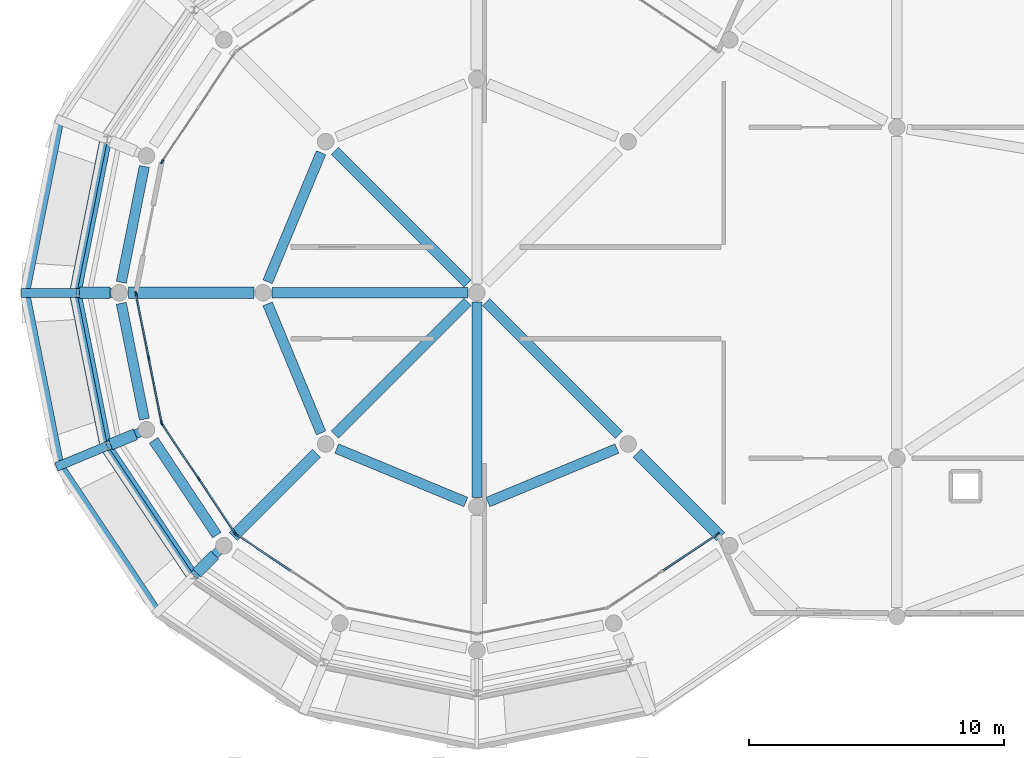
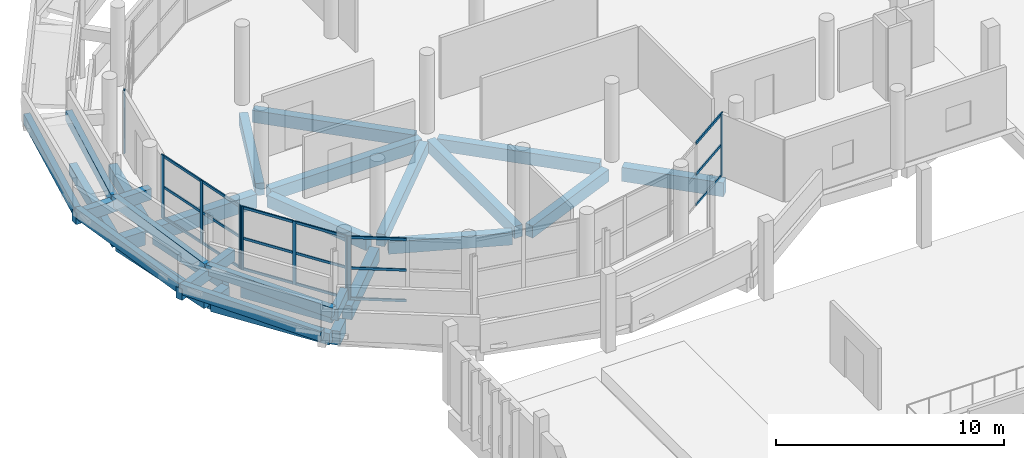
# One storey, part 15 of 137: 32 beams, 27 members, 5 elements without a shape of their own.
"""IFC4 building model written with IfcOpenShell, lengths in metres."""

from ifc_helpers import new_model, si_unit, direction, frame, origin, origin_2d, place, context, subcontext, project, spatial, rectangle, extrude, material, layer, layer_set, material_profile, profile_set, type_object, element, aggregate, save


model = new_model("IFC4")

# Units and contexts
model_context = context("Model", 3, precision=1e-05, world=origin(), true_north=direction((0.0, 1.0)))
body_context = subcontext(model_context, "Body", "Model", "MODEL_VIEW")
ifc_project = project(units=[si_unit("LENGTHUNIT", "METRE"), si_unit("AREAUNIT", "SQUARE_METRE"), si_unit("VOLUMEUNIT", "CUBIC_METRE"), si_unit("PLANEANGLEUNIT", "RADIAN"), si_unit("MASSUNIT", "GRAM", prefix="KILO")], contexts=[model_context])

# Site, building, storey
site_placement = place(None, origin())
site = spatial("IfcSite", under=ifc_project, at=site_placement, CompositionType="ELEMENT")
building_placement = place(site_placement, origin())
building = spatial("IfcBuilding", under=site, at=building_placement, Name="Jelvoka-Kovrelna Polytechnic", CompositionType="ELEMENT")
storey_placement = place(building_placement, frame((0.0, 0.0, 9.60009765625)))
storey = spatial("IfcBuildingStorey", under=building, at=storey_placement, Name="L03", CompositionType="ELEMENT", Elevation=9.60009765625)

# Beams
ifc_material_1 = material(Name="Concrete C35/45", Category="concrete")
ifc_material_profile_1 = material_profile(ifc_material_1, rectangle(XDim=0.35009765625, YDim=0.60009765625, at=origin_2d()), Name="RC 350x600")
ifc_profile_set_1 = profile_set([ifc_material_profile_1], Name="Concrete C35/45")
beam_type_1 = type_object("IfcBeamType", Name="Beam_RC_350x600", PredefinedType="BEAM", material=ifc_profile_set_1)
for number, where, z_axis, x_axis, name in (
    (1, (15.565185546875, 32.565185546875, 0.73486328125), (-0.707106781187, -0.707106781187, 0.0), (0.707106781187, -0.707106781187, 0.0), "L03 spiral ramp inner tie beam 3.8"),
    (2, (12.51953125, 37.123291015625, 1.15478515625), (-0.923870731357, -0.38270467954, 0.0), (0.38270467954, -0.923870731357, 0.0), "L03 spiral ramp inner tie beam 3.7"),
):
    element("IfcBeam", number, at=place(storey_placement, frame(where, z_axis=z_axis, x_axis=x_axis)), inside=storey, type_object=beam_type_1, Name=name, PredefinedType="BEAM", context=body_context, shape_type="SweptSolid", body=[
        extrude(rectangle(XDim=0.35009765625, YDim=0.60009765625, at=origin_2d()), origin(), (0.0, 0.0, 1.0), 1.670166015625),
    ])
beam_1_placement = place(storey_placement, frame((10.9765625, 36.484130859375, 1.15478515625), z_axis=(-0.923910766313, -0.382608018592, 0.0), x_axis=(0.382608018592, -0.923910766313, 0.0)))
element("IfcBeam", 3, at=beam_1_placement, inside=storey, type_object=beam_type_1, Name="L03 spiral ramp cantilever bracket 3.7", PredefinedType="BEAM", context=body_context, shape_type="SweptSolid", body=[
    extrude(rectangle(XDim=0.35009765625, YDim=0.60009765625, at=origin_2d()), origin(), (0.0, 0.0, 1.0), 2.159912109375),
])
beam_2_placement = place(storey_placement, frame((11.449951171875, 42.5, 1.574951171875), z_axis=(-1.0, 0.0, 0.0), x_axis=(0.0, -1.0, 0.0)))
element("IfcBeam", 4, at=beam_2_placement, inside=storey, type_object=beam_type_1, Name="L03 spiral ramp inner tie beam 3.6", PredefinedType="BEAM", context=body_context, shape_type="SweptSolid", body=[
    extrude(rectangle(XDim=0.35009765625, YDim=0.60009765625, at=origin_2d()), origin(), (0.0, 0.0, 1.0), 1.669921875),
])
beam_3_placement = place(storey_placement, frame((9.780029296875, 42.5, 1.574951171875), z_axis=(-1.0, 0.0, 0.0), x_axis=(0.0, -1.0, 0.0)))
element("IfcBeam", 5, at=beam_3_placement, inside=storey, type_object=beam_type_1, Name="L03 spiral ramp cantilever bracket 3.6", PredefinedType="BEAM", context=body_context, shape_type="SweptSolid", body=[
    extrude(rectangle(XDim=0.35009765625, YDim=0.60009765625, at=origin_2d()), origin(), (0.0, 0.0, 1.0), 2.159912109375),
])
ifc_material_2 = material(Name="Concrete C40/50", Category="concrete")
ifc_material_profile_2 = material_profile(ifc_material_2, rectangle(XDim=0.39990234375, YDim=0.64990234375, at=origin_2d()), Name="RC 400x650")
ifc_profile_set_2 = profile_set([ifc_material_profile_2], Name="Concrete C40/50")
beam_type_2 = type_object("IfcBeamType", Name="Beam_RC_400x650", PredefinedType="BEAM", material=ifc_profile_set_2)
beam_4_placement = place(storey_placement, frame((25.13916015625, 42.86083984375, -0.5751953125), z_axis=(-0.707106781187, 0.707106781187, 0.0), x_axis=(-0.707106781187, -0.707106781187, 0.0)))
element("IfcBeam", 6, at=beam_4_placement, inside=storey, type_object=beam_type_2, Name="L03 beam 2468", PredefinedType="BEAM", context=body_context, shape_type="SweptSolid", body=[
    extrude(rectangle(XDim=0.39990234375, YDim=0.64990234375, at=origin_2d()), origin(), (0.0, 0.0, 1.0), 7.37939453125),
])
beam_5_placement = place(storey_placement, frame((25.14501953125, 42.5, -0.5751953125), z_axis=(-1.0, 0.0, 0.0), x_axis=(0.0, -1.0, 0.0)))
element("IfcBeam", 7, at=beam_5_placement, inside=storey, type_object=beam_type_2, Name="L03 beam 2470", PredefinedType="BEAM", context=body_context, shape_type="SweptSolid", body=[
    extrude(rectangle(XDim=0.39990234375, YDim=0.64990234375, at=origin_2d()), origin(), (0.0, 0.0, 1.0), 7.68994140625),
])
beam_6_placement = place(storey_placement, frame((25.13916015625, 42.13916015625, -0.5751953125), z_axis=(-0.707106781187, -0.707106781187, 0.0), x_axis=(0.707106781187, -0.707106781187, 0.0)))
element("IfcBeam", 8, at=beam_6_placement, inside=storey, type_object=beam_type_2, Name="L03 beam 2472", PredefinedType="BEAM", context=body_context, shape_type="SweptSolid", body=[
    extrude(rectangle(XDim=0.39990234375, YDim=0.64990234375, at=origin_2d()), origin(), (0.0, 0.0, 1.0), 7.37939453125),
])
beam_7_placement = place(storey_placement, frame((25.5, 42.14501953125, -0.5751953125), z_axis=(0.0, -1.0, 0.0), x_axis=(1.0, 0.0, 0.0)))
element("IfcBeam", 9, at=beam_7_placement, inside=storey, type_object=beam_type_2, Name="L03 beam 2474", PredefinedType="BEAM", context=body_context, shape_type="SweptSolid", body=[
    extrude(rectangle(XDim=0.39990234375, YDim=0.64990234375, at=origin_2d()), origin(), (0.0, 0.0, 1.0), 7.68994140625),
])
beam_8_placement = place(storey_placement, frame((25.86083984375, 42.13916015625, -0.5751953125), z_axis=(0.707106781187, -0.707106781187, 0.0), x_axis=(0.707106781187, 0.707106781187, 0.0)))
element("IfcBeam", 10, at=beam_8_placement, inside=storey, type_object=beam_type_2, Name="L03 beam 2476", PredefinedType="BEAM", context=body_context, shape_type="SweptSolid", body=[
    extrude(rectangle(XDim=0.39990234375, YDim=0.64990234375, at=origin_2d()), origin(), (0.0, 0.0, 1.0), 7.37939453125),
])
for number, where, z_axis, x_axis, name in (
    (11, (19.380615234375, 48.005615234375, -0.5751953125), (-0.382703994805, -0.923871015002, 0.0), (0.923871015002, -0.382703994805, 0.0), "L03 beam 2480"),
    (12, (17.27978515625, 42.06591796875, -0.5751953125), (0.382703994805, -0.923871015002, 0.0), (0.923871015002, 0.382703994805, 0.0), "L03 beam 2481"),
    (13, (19.994384765625, 36.380615234375, -0.5751953125), (0.923871015002, -0.382703994805, 0.0), (0.382703994805, 0.923871015002, 0.0), "L03 beam 2482"),
    (14, (25.93408203125, 34.27978515625, -0.5751953125), (0.923871015002, 0.382703994805, 0.0), (-0.382703994805, 0.923871015002, 0.0), "L03 beam 2483"),
):
    element("IfcBeam", number, at=place(storey_placement, frame(where, z_axis=z_axis, x_axis=x_axis)), inside=storey, type_object=beam_type_2, Name=name, PredefinedType="BEAM", context=body_context, shape_type="SweptSolid", body=[
        extrude(rectangle(XDim=0.39990234375, YDim=0.64990234375, at=origin_2d()), origin(), (0.0, 0.0, 1.0), 5.489501953125),
    ])
for number, where, z_axis, x_axis, name in (
    (15, (12.4375, 47.4638671875, -0.5751953125), (-0.195144706619, -0.980774461066, 0.0), (0.980774461066, -0.195144706619, 0.0), "L03 beam 2489"),
    (16, (11.531982421875, 42.087158203125, -0.5751953125), (0.195144706619, -0.980774461066, 0.0), (0.980774461066, 0.195144706619, 0.0), "L03 beam 2490"),
):
    element("IfcBeam", number, at=place(storey_placement, frame(where, z_axis=z_axis, x_axis=x_axis)), inside=storey, type_object=beam_type_2, Name=name, PredefinedType="BEAM", context=body_context, shape_type="SweptSolid", body=[
        extrude(rectangle(XDim=0.39990234375, YDim=0.64990234375, at=origin_2d()), origin(), (0.0, 0.0, 1.0), 4.64013671875),
    ])
beam_9_placement = place(storey_placement, frame((12.79736328125, 36.70751953125, -0.5751953125), z_axis=(0.55552960698, -0.831496756319, 0.0), x_axis=(0.831496756319, 0.55552960698, 0.0)))
element("IfcBeam", 17, at=beam_9_placement, inside=storey, type_object=beam_type_2, Name="L03 beam 2491", PredefinedType="BEAM", context=body_context, shape_type="SweptSolid", body=[
    extrude(rectangle(XDim=0.39990234375, YDim=0.64990234375, at=origin_2d()), origin(), (0.0, 0.0, 1.0), 4.481689453125),
])
ifc_material_3 = material(Name="Concrete C40/50", Category="concrete")
ifc_material_profile_3 = material_profile(ifc_material_3, rectangle(XDim=0.449951171875, YDim=0.75, at=origin_2d()), Name="RC 450x750")
ifc_profile_set_3 = profile_set([ifc_material_profile_3], Name="Concrete C40/50")
beam_type_3 = type_object("IfcBeamType", Name="Beam_RC_450x750", PredefinedType="BEAM", material=ifc_profile_set_3)
beam_10_placement = place(storey_placement, frame((16.7451171875, 42.5, -0.625), z_axis=(-1.0, 0.0, 0.0), x_axis=(0.0, -1.0, 0.0)))
element("IfcBeam", 18, at=beam_10_placement, inside=storey, type_object=beam_type_3, Name="L03 beam 2471", PredefinedType="BEAM", context=body_context, shape_type="SweptSolid", body=[
    extrude(rectangle(XDim=0.449951171875, YDim=0.75, at=origin_2d()), origin(), (0.0, 0.0, 1.0), 4.940185546875),
])
for number, where, z_axis, x_axis, name in (
    (19, (19.199462890625, 36.199462890625, -0.625), (-0.707106781187, -0.707106781187, 0.0), (0.707106781187, -0.707106781187, 0.0), "L03 beam 2473"),
    (20, (31.800537109375, 36.199462890625, -0.625), (0.707106781187, -0.707106781187, 0.0), (0.707106781187, 0.707106781187, 0.0), "L03 beam 2477"),
):
    element("IfcBeam", number, at=place(storey_placement, frame(where, z_axis=z_axis, x_axis=x_axis)), inside=storey, type_object=beam_type_3, Name=name, PredefinedType="BEAM", context=body_context, shape_type="SweptSolid", body=[
        extrude(rectangle(XDim=0.449951171875, YDim=0.75, at=origin_2d()), origin(), (0.0, 0.0, 1.0), 4.62939453125),
    ])
beam_11_placement = place(storey_placement, frame((11.094970703125, 42.5, -0.625), z_axis=(-1.0, 0.0, 0.0), x_axis=(0.0, -1.0, 0.0)))
element("IfcBeam", 21, at=beam_11_placement, inside=storey, type_object=beam_type_3, Name="L03 beam 2503", PredefinedType="BEAM", context=body_context, shape_type="SweptSolid", body=[
    extrude(rectangle(XDim=0.449951171875, YDim=0.75, at=origin_2d()), origin(), (0.0, 0.0, 1.0), 1.2080078125),
])
beam_12_placement = place(storey_placement, frame((12.085205078125, 36.943603515625, -0.625), z_axis=(-0.923822033971, -0.382822216634, 0.0), x_axis=(0.382822216634, -0.923822033971, 0.0)))
element("IfcBeam", 22, at=beam_12_placement, inside=storey, type_object=beam_type_3, Name="L03 beam 2504", PredefinedType="BEAM", context=body_context, shape_type="SweptSolid", body=[
    extrude(rectangle(XDim=0.449951171875, YDim=0.75, at=origin_2d()), origin(), (0.0, 0.0, 1.0), 1.05419921875),
])
beam_13_placement = place(storey_placement, frame((15.2041015625, 32.2041015625, -0.625), z_axis=(-0.707106781187, -0.707106781187, 0.0), x_axis=(0.707106781187, -0.707106781187, 0.0)))
element("IfcBeam", 23, at=beam_13_placement, inside=storey, type_object=beam_type_3, Name="L03 beam 2505", PredefinedType="BEAM", context=body_context, shape_type="SweptSolid", body=[
    extrude(rectangle(XDim=0.449951171875, YDim=0.75, at=origin_2d()), origin(), (0.0, 0.0, 1.0), 0.99951171875),
])

# Curtain wall, member
ifc_material_4 = material(Name="Anodised aluminium 6063-T6", Category="aluminium")
ifc_layer = layer(ifc_material_4, 0.179931640625)
ifc_layer_set = layer_set([ifc_layer], Name="Anodised aluminium 6063-T6")
curtain_wall_type = type_object("IfcCurtainWallType", Name="CW_Pavilion", PredefinedType="NOTDEFINED", material=ifc_layer_set)
curtain_wall_1_placement = place(storey_placement, origin())
curtain_wall_1 = element("IfcCurtainWall", 24, at=curtain_wall_1_placement, inside=storey, type_object=curtain_wall_type, Name="L03 glazed curtain wall 237", PredefinedType="NOTDEFINED")
ifc_material_5 = material(Name="Anodised aluminium 6063-T6", Category="aluminium")
ifc_material_profile_4 = material_profile(ifc_material_5, rectangle(XDim=0.06494140625, YDim=0.179931640625, at=origin_2d()), Name="ALU 65x180")
ifc_profile_set_4 = profile_set([ifc_material_profile_4], Name="Anodised aluminium 6063-T6")
member_type_1 = type_object("IfcMemberType", Name="Mullion_M-05", PredefinedType="MULLION", material=ifc_profile_set_4)
member_1_placement = place(storey_placement, frame((13.137939453125, 47.655029296875, -0.02490234375), z_axis=(0.0, 0.0, 1.0), x_axis=(-0.83146132254, 0.555582639326, 0.0)))
member_1 = element("IfcMember", 25, at=member_1_placement, type_object=member_type_1, Name="CW-05 mullion 1", PredefinedType="MULLION", context=body_context, shape_type="SweptSolid", body=[
    extrude(rectangle(XDim=0.06494140625, YDim=0.179931640625, at=origin_2d()), origin(), (0.0, 0.0, 1.0), 3.39990234375),
])
aggregate(curtain_wall_1, [member_1])

# Curtain wall, members
curtain_wall_2_placement = place(storey_placement, origin())
curtain_wall_2 = element("IfcCurtainWall", 26, at=curtain_wall_2_placement, inside=storey, type_object=curtain_wall_type, Name="L03 glazed curtain wall 238", PredefinedType="NOTDEFINED")
member_2_placement = place(storey_placement, frame((13.11376953125, 37.40380859375, -0.02490234375), z_axis=(0.0, 0.0, 1.0), x_axis=(-0.980786108197, -0.195086160371, 0.0)))
member_2 = element("IfcMember", 27, at=member_2_placement, type_object=member_type_1, Name="CW-05 mullion 1", PredefinedType="MULLION", context=body_context, shape_type="SweptSolid", body=[
    extrude(rectangle(XDim=0.06494140625, YDim=0.179931640625, at=origin_2d()), origin(), (0.0, 0.0, 1.0), 3.39990234375),
])
member_3_placement = place(storey_placement, frame((12.610107421875, 39.93603515625, -0.02490234375), z_axis=(0.0, 0.0, 1.0), x_axis=(-0.980786108197, -0.195086160371, 0.0)))
member_3 = element("IfcMember", 28, at=member_3_placement, type_object=member_type_1, Name="CW-05 mullion 2", PredefinedType="MULLION", context=body_context, shape_type="SweptSolid", body=[
    extrude(rectangle(XDim=0.06494140625, YDim=0.179931640625, at=origin_2d()), origin(), (0.0, 0.0, 1.0), 3.39990234375),
])
member_4_placement = place(storey_placement, frame((12.1064453125, 42.468017578125, -0.02490234375), z_axis=(0.0, 0.0, 1.0), x_axis=(-0.980786108197, -0.195086160371, 0.0)))
member_4 = element("IfcMember", 29, at=member_4_placement, type_object=member_type_1, Name="CW-05 mullion 3", PredefinedType="MULLION", context=body_context, shape_type="SweptSolid", body=[
    extrude(rectangle(XDim=0.06494140625, YDim=0.179931640625, at=origin_2d()), origin(), (0.0, 0.0, 1.0), 3.39990234375),
])

curtain_wall_3_placement = place(storey_placement, origin())
curtain_wall_3 = element("IfcCurtainWall", 30, at=curtain_wall_3_placement, inside=storey, type_object=curtain_wall_type, Name="L03 glazed curtain wall 239", PredefinedType="NOTDEFINED")
member_5_placement = place(storey_placement, frame((16.0068359375, 33.0517578125, -0.02490234375), z_axis=(0.0, 0.0, 1.0), x_axis=(-0.83146132254, -0.555582639326, 0.0)))
member_5 = element("IfcMember", 31, at=member_5_placement, type_object=member_type_1, Name="CW-05 mullion 1", PredefinedType="MULLION", context=body_context, shape_type="SweptSolid", body=[
    extrude(rectangle(XDim=0.06494140625, YDim=0.179931640625, at=origin_2d()), origin(), (0.0, 0.0, 1.0), 3.39990234375),
])
member_6_placement = place(storey_placement, frame((14.572509765625, 35.198486328125, -0.02490234375), z_axis=(0.0, 0.0, 1.0), x_axis=(-0.83146132254, -0.555582639326, 0.0)))
member_6 = element("IfcMember", 32, at=member_6_placement, type_object=member_type_1, Name="CW-05 mullion 2", PredefinedType="MULLION", context=body_context, shape_type="SweptSolid", body=[
    extrude(rectangle(XDim=0.06494140625, YDim=0.179931640625, at=origin_2d()), origin(), (0.0, 0.0, 1.0), 3.39990234375),
])
member_7_placement = place(storey_placement, frame((13.137939453125, 37.344970703125, -0.02490234375), z_axis=(0.0, 0.0, 1.0), x_axis=(-0.83146132254, -0.555582639326, 0.0)))
member_7 = element("IfcMember", 33, at=member_7_placement, type_object=member_type_1, Name="CW-05 mullion 3", PredefinedType="MULLION", context=body_context, shape_type="SweptSolid", body=[
    extrude(rectangle(XDim=0.06494140625, YDim=0.179931640625, at=origin_2d()), origin(), (0.0, 0.0, 1.0), 3.39990234375),
])

# Curtain wall, member
curtain_wall_4_placement = place(storey_placement, origin())
curtain_wall_4 = element("IfcCurtainWall", 34, at=curtain_wall_4_placement, inside=storey, type_object=curtain_wall_type, Name="L03 glazed curtain wall 240", PredefinedType="NOTDEFINED")
member_8_placement = place(storey_placement, frame((16.0517578125, 33.0068359375, -0.02490234375), z_axis=(0.0, 0.0, 1.0), x_axis=(-0.555582639326, -0.83146132254, 0.0)))
member_8 = element("IfcMember", 35, at=member_8_placement, type_object=member_type_1, Name="CW-05 mullion 3", PredefinedType="MULLION", context=body_context, shape_type="SweptSolid", body=[
    extrude(rectangle(XDim=0.06494140625, YDim=0.179931640625, at=origin_2d()), origin(), (0.0, 0.0, 1.0), 3.39990234375),
])

curtain_wall_5_placement = place(storey_placement, origin())
curtain_wall_5 = element("IfcCurtainWall", 36, at=curtain_wall_5_placement, inside=storey, type_object=curtain_wall_type, Name="L03 glazed curtain wall 243", PredefinedType="NOTDEFINED")
member_9_placement = place(storey_placement, frame((34.9482421875, 33.0068359375, -0.02490234375), z_axis=(0.0, 0.0, 1.0), x_axis=(0.555582639326, -0.83146132254, 0.0)))
member_9 = element("IfcMember", 37, at=member_9_placement, type_object=member_type_1, Name="CW-05 mullion 1", PredefinedType="MULLION", context=body_context, shape_type="SweptSolid", body=[
    extrude(rectangle(XDim=0.06494140625, YDim=0.179931640625, at=origin_2d()), origin(), (0.0, 0.0, 1.0), 3.39990234375),
])

# Beams
ifc_material_6 = material(Name="Concrete C40/50", Category="concrete")
ifc_material_profile_5 = material_profile(ifc_material_6, rectangle(XDim=0.300048828125, YDim=0.550048828125, at=origin_2d()), Name="RC 300x550")
ifc_profile_set_5 = profile_set([ifc_material_profile_5], Name="Concrete C40/50")
beam_type_4 = type_object("IfcBeamType", Name="Spandrel_RC_300x550", PredefinedType="SPANDREL", material=ifc_profile_set_5)
beam_14_placement = place(storey_placement, frame((12.97021484375, 29.97021484375, 0.98486328125), z_axis=(-0.554574307652, 0.829922883435, 0.06062462242), x_axis=(-0.831452226772, -0.555596251424, 0.0)))
element("IfcBeam", 38, at=beam_14_placement, inside=storey, type_object=beam_type_4, Name="L03 spiral ramp curved outer stringer 3.8", PredefinedType="SPANDREL", context=body_context, shape_type="SweptSolid", body=[
    extrude(rectangle(XDim=0.300048828125, YDim=0.550048828125, at=origin_2d()), origin(), (0.0, 0.0, 1.0), 6.926513671875),
])
beam_15_placement = place(storey_placement, frame((14.285400390625, 31.285400390625, 0.98486328125), z_axis=(-0.554299164858, 0.829559359423, 0.067703065158), x_axis=(-0.831467148194, -0.555573920801, 0.0)))
element("IfcBeam", 39, at=beam_15_placement, inside=storey, type_object=beam_type_4, Name="L03 spiral ramp curved inner stringer 3.8", PredefinedType="SPANDREL", context=body_context, shape_type="SweptSolid", body=[
    extrude(rectangle(XDim=0.300048828125, YDim=0.550048828125, at=origin_2d()), origin(), (0.0, 0.0, 1.0), 6.202392578125),
])
beam_16_placement = place(storey_placement, frame((9.12890625, 35.71875, 1.40478515625), z_axis=(-0.194731431864, 0.978979231033, 0.060657519319), x_axis=(-0.980785212274, -0.195090664524, 0.0)))
element("IfcBeam", 40, at=beam_16_placement, inside=storey, type_object=beam_type_4, Name="L03 spiral ramp curved outer stringer 3.7", PredefinedType="SPANDREL", context=body_context, shape_type="SweptSolid", body=[
    extrude(rectangle(XDim=0.300048828125, YDim=0.550048828125, at=origin_2d()), origin(), (0.0, 0.0, 1.0), 6.9267578125),
])
beam_17_placement = place(storey_placement, frame((10.847412109375, 36.4306640625, 1.40478515625), z_axis=(-0.194681510825, 0.978524536822, 0.067740978595), x_axis=(-0.980777439808, -0.195129735209, 0.0)))
element("IfcBeam", 41, at=beam_17_placement, inside=storey, type_object=beam_type_4, Name="L03 spiral ramp curved inner stringer 3.7", PredefinedType="SPANDREL", context=body_context, shape_type="SweptSolid", body=[
    extrude(rectangle(XDim=0.300048828125, YDim=0.550048828125, at=origin_2d()), origin(), (0.0, 0.0, 1.0), 6.20263671875),
])
beam_18_placement = place(storey_placement, frame((7.780029296875, 42.5, 1.824951171875), z_axis=(0.194731848062, 0.978981323396, 0.060622403379), x_axis=(-0.980785212274, 0.195090664524, 0.0)))
element("IfcBeam", 42, at=beam_18_placement, inside=storey, type_object=beam_type_4, Name="L03 spiral ramp curved outer stringer 3.6", PredefinedType="SPANDREL", context=body_context, shape_type="SweptSolid", body=[
    extrude(rectangle(XDim=0.300048828125, YDim=0.550048828125, at=origin_2d()), origin(), (0.0, 0.0, 1.0), 6.9267578125),
])
beam_19_placement = place(storey_placement, frame((9.639892578125, 42.5, 1.824951171875), z_axis=(0.194682029772, 0.978527145192, 0.067701797656), x_axis=(-0.980777439808, 0.195129735209, 0.0)))
element("IfcBeam", 43, at=beam_19_placement, inside=storey, type_object=beam_type_4, Name="L03 spiral ramp curved inner stringer 3.6", PredefinedType="SPANDREL", context=body_context, shape_type="SweptSolid", body=[
    extrude(rectangle(XDim=0.300048828125, YDim=0.550048828125, at=origin_2d()), origin(), (0.0, 0.0, 1.0), 6.20263671875),
])
ifc_material_7 = material(Name="Concrete C40/50", Category="concrete")
ifc_material_profile_6 = material_profile(ifc_material_7, rectangle(XDim=0.35009765625, YDim=0.60009765625, at=origin_2d()), Name="RC 350x600")
ifc_profile_set_6 = profile_set([ifc_material_profile_6], Name="Concrete C40/50")
beam_type_5 = type_object("IfcBeamType", Name="Spandrel_RC_350x600", PredefinedType="SPANDREL", material=ifc_profile_set_6)
for number, where, z_axis, x_axis, name in (
    (44, (10.951416015625, 48.388916015625, -0.550048828125), (-0.195109079005, -0.98078154922, 0.0), (0.98078154922, -0.195109079005, 0.0), "L03 beam 2514"),
    (45, (9.80517578125, 42.373046875, -0.550048828125), (0.195109079005, -0.98078154922, 0.0), (0.98078154922, 0.195109079005, 0.0), "L03 beam 2515"),
):
    element("IfcBeam", number, at=place(storey_placement, frame(where, z_axis=z_axis, x_axis=x_axis)), inside=storey, type_object=beam_type_5, Name=name, PredefinedType="SPANDREL", context=body_context, shape_type="SweptSolid", body=[
        extrude(rectangle(XDim=0.35009765625, YDim=0.60009765625, at=origin_2d()), origin(), (0.0, 0.0, 1.0), 5.874755859375),
    ])
beam_20_placement = place(storey_placement, frame((11.0634765625, 36.3544921875, -0.550048828125), z_axis=(0.555561254279, -0.831475611635, 0.0), x_axis=(0.831475611635, 0.555561254279, 0.0)))
element("IfcBeam", 46, at=beam_20_placement, inside=storey, type_object=beam_type_5, Name="L03 beam 2516", PredefinedType="SPANDREL", context=body_context, shape_type="SweptSolid", body=[
    extrude(rectangle(XDim=0.35009765625, YDim=0.60009765625, at=origin_2d()), origin(), (0.0, 0.0, 1.0), 5.8212890625),
])

# Member
ifc_material_8 = material(Name="Anodised aluminium 6063-T6", Category="aluminium")
ifc_material_profile_7 = material_profile(ifc_material_8, rectangle(XDim=0.06494140625, YDim=0.135009765625, at=origin_2d()), Name="ALU 65x135")
ifc_profile_set_7 = profile_set([ifc_material_profile_7], Name="Anodised aluminium 6063-T6")
member_type_2 = type_object("IfcMemberType", Name="Transom_T-05", PredefinedType="USERDEFINED", material=ifc_profile_set_7)
member_10_placement = place(storey_placement, frame((13.107421875, 37.435791015625, 0.032470703125), z_axis=(-0.195089945547, 0.980785355287, 0.0), x_axis=(-0.980785355287, -0.195089945547, 0.0)))
member_10 = element("IfcMember", 47, at=member_10_placement, type_object=member_type_2, Name="CW-05 transom 1.1", ObjectType="TRANSOM", PredefinedType="USERDEFINED", context=body_context, shape_type="SweptSolid", body=[
    extrude(rectangle(XDim=0.06494140625, YDim=0.135009765625, at=origin_2d()), origin(), (0.0, 0.0, 1.0), 2.5166015625),
])

member_11_placement = place(storey_placement, frame((13.107421875, 37.435791015625, 1.6748046875), z_axis=(-0.195089945547, 0.980785355287, 0.0), x_axis=(-0.980785355287, -0.195089945547, 0.0)))
member_11 = element("IfcMember", 48, at=member_11_placement, type_object=member_type_2, Name="CW-05 transom 1.2", ObjectType="TRANSOM", PredefinedType="USERDEFINED", context=body_context, shape_type="SweptSolid", body=[
    extrude(rectangle(XDim=0.06494140625, YDim=0.135009765625, at=origin_2d()), origin(), (0.0, 0.0, 1.0), 2.5166015625),
])

member_12_placement = place(storey_placement, frame((13.107421875, 37.435791015625, 3.3173828125), z_axis=(-0.195089945547, 0.980785355287, 0.0), x_axis=(-0.980785355287, -0.195089945547, 0.0)))
member_12 = element("IfcMember", 49, at=member_12_placement, type_object=member_type_2, Name="CW-05 transom 1.3", ObjectType="TRANSOM", PredefinedType="USERDEFINED", context=body_context, shape_type="SweptSolid", body=[
    extrude(rectangle(XDim=0.06494140625, YDim=0.135009765625, at=origin_2d()), origin(), (0.0, 0.0, 1.0), 2.5166015625),
])

member_13_placement = place(storey_placement, frame((12.603759765625, 39.9677734375, 0.032470703125), z_axis=(-0.195071384983, 0.980789047023, 0.0), x_axis=(-0.980789047023, -0.195071384983, 0.0)))
member_13 = element("IfcMember", 50, at=member_13_placement, type_object=member_type_2, Name="CW-05 transom 2.1", ObjectType="TRANSOM", PredefinedType="USERDEFINED", context=body_context, shape_type="SweptSolid", body=[
    extrude(rectangle(XDim=0.06494140625, YDim=0.135009765625, at=origin_2d()), origin(), (0.0, 0.0, 1.0), 2.516845703125),
])

member_14_placement = place(storey_placement, frame((12.603759765625, 39.9677734375, 1.6748046875), z_axis=(-0.195071384983, 0.980789047023, 0.0), x_axis=(-0.980789047023, -0.195071384983, 0.0)))
member_14 = element("IfcMember", 51, at=member_14_placement, type_object=member_type_2, Name="CW-05 transom 2.2", ObjectType="TRANSOM", PredefinedType="USERDEFINED", context=body_context, shape_type="SweptSolid", body=[
    extrude(rectangle(XDim=0.06494140625, YDim=0.135009765625, at=origin_2d()), origin(), (0.0, 0.0, 1.0), 2.516845703125),
])

member_15_placement = place(storey_placement, frame((12.603759765625, 39.9677734375, 3.3173828125), z_axis=(-0.195071384983, 0.980789047023, 0.0), x_axis=(-0.980789047023, -0.195071384983, 0.0)))
member_15 = element("IfcMember", 52, at=member_15_placement, type_object=member_type_2, Name="CW-05 transom 2.3", ObjectType="TRANSOM", PredefinedType="USERDEFINED", context=body_context, shape_type="SweptSolid", body=[
    extrude(rectangle(XDim=0.06494140625, YDim=0.135009765625, at=origin_2d()), origin(), (0.0, 0.0, 1.0), 2.516845703125),
])

aggregate(curtain_wall_2, [member_2, member_3, member_4, member_10, member_11, member_12, member_13, member_14, member_15])

member_16_placement = place(storey_placement, frame((15.98876953125, 33.078857421875, 0.032470703125), z_axis=(-0.555572975667, 0.831467779718, 0.0), x_axis=(-0.831467779718, -0.555572975667, 0.0)))
member_16 = element("IfcMember", 53, at=member_16_placement, type_object=member_type_2, Name="CW-05 transom 1.1", ObjectType="TRANSOM", PredefinedType="USERDEFINED", context=body_context, shape_type="SweptSolid", body=[
    extrude(rectangle(XDim=0.06494140625, YDim=0.135009765625, at=origin_2d()), origin(), (0.0, 0.0, 1.0), 2.5166015625),
])

member_17_placement = place(storey_placement, frame((15.98876953125, 33.078857421875, 1.6748046875), z_axis=(-0.555572975667, 0.831467779718, 0.0), x_axis=(-0.831467779718, -0.555572975667, 0.0)))
member_17 = element("IfcMember", 54, at=member_17_placement, type_object=member_type_2, Name="CW-05 transom 1.2", ObjectType="TRANSOM", PredefinedType="USERDEFINED", context=body_context, shape_type="SweptSolid", body=[
    extrude(rectangle(XDim=0.06494140625, YDim=0.135009765625, at=origin_2d()), origin(), (0.0, 0.0, 1.0), 2.5166015625),
])

member_18_placement = place(storey_placement, frame((15.98876953125, 33.078857421875, 3.3173828125), z_axis=(-0.555572975667, 0.831467779718, 0.0), x_axis=(-0.831467779718, -0.555572975667, 0.0)))
member_18 = element("IfcMember", 55, at=member_18_placement, type_object=member_type_2, Name="CW-05 transom 1.3", ObjectType="TRANSOM", PredefinedType="USERDEFINED", context=body_context, shape_type="SweptSolid", body=[
    extrude(rectangle(XDim=0.06494140625, YDim=0.135009765625, at=origin_2d()), origin(), (0.0, 0.0, 1.0), 2.5166015625),
])

member_19_placement = place(storey_placement, frame((14.554443359375, 35.225341796875, 0.032470703125), z_axis=(-0.555640036612, 0.831422966795, 0.0), x_axis=(-0.831422966795, -0.555640036612, 0.0)))
member_19 = element("IfcMember", 56, at=member_19_placement, type_object=member_type_2, Name="CW-05 transom 2.1", ObjectType="TRANSOM", PredefinedType="USERDEFINED", context=body_context, shape_type="SweptSolid", body=[
    extrude(rectangle(XDim=0.06494140625, YDim=0.135009765625, at=origin_2d()), origin(), (0.0, 0.0, 1.0), 2.516845703125),
])

member_20_placement = place(storey_placement, frame((14.554443359375, 35.225341796875, 1.6748046875), z_axis=(-0.555640036612, 0.831422966795, 0.0), x_axis=(-0.831422966795, -0.555640036612, 0.0)))
member_20 = element("IfcMember", 57, at=member_20_placement, type_object=member_type_2, Name="CW-05 transom 2.2", ObjectType="TRANSOM", PredefinedType="USERDEFINED", context=body_context, shape_type="SweptSolid", body=[
    extrude(rectangle(XDim=0.06494140625, YDim=0.135009765625, at=origin_2d()), origin(), (0.0, 0.0, 1.0), 2.516845703125),
])

member_21_placement = place(storey_placement, frame((14.554443359375, 35.225341796875, 3.3173828125), z_axis=(-0.555640036612, 0.831422966795, 0.0), x_axis=(-0.831422966795, -0.555640036612, 0.0)))
member_21 = element("IfcMember", 58, at=member_21_placement, type_object=member_type_2, Name="CW-05 transom 2.3", ObjectType="TRANSOM", PredefinedType="USERDEFINED", context=body_context, shape_type="SweptSolid", body=[
    extrude(rectangle(XDim=0.06494140625, YDim=0.135009765625, at=origin_2d()), origin(), (0.0, 0.0, 1.0), 2.516845703125),
])

aggregate(curtain_wall_3, [member_5, member_6, member_7, member_16, member_17, member_18, member_19, member_20, member_21])

member_22_placement = place(storey_placement, frame((18.17138671875, 31.590576171875, 0.032470703125), z_axis=(-0.831467779718, 0.555572975667, 0.0), x_axis=(-0.555572975667, -0.831467779718, 0.0)))
member_22 = element("IfcMember", 59, at=member_22_placement, type_object=member_type_2, Name="CW-05 transom 2.1", ObjectType="TRANSOM", PredefinedType="USERDEFINED", context=body_context, shape_type="SweptSolid", body=[
    extrude(rectangle(XDim=0.06494140625, YDim=0.135009765625, at=origin_2d()), origin(), (0.0, 0.0, 1.0), 2.5166015625),
])

member_23_placement = place(storey_placement, frame((18.17138671875, 31.590576171875, 1.6748046875), z_axis=(-0.831467779718, 0.555572975667, 0.0), x_axis=(-0.555572975667, -0.831467779718, 0.0)))
member_23 = element("IfcMember", 60, at=member_23_placement, type_object=member_type_2, Name="CW-05 transom 2.2", ObjectType="TRANSOM", PredefinedType="USERDEFINED", context=body_context, shape_type="SweptSolid", body=[
    extrude(rectangle(XDim=0.06494140625, YDim=0.135009765625, at=origin_2d()), origin(), (0.0, 0.0, 1.0), 2.5166015625),
])

member_24_placement = place(storey_placement, frame((18.17138671875, 31.590576171875, 3.3173828125), z_axis=(-0.831467779718, 0.555572975667, 0.0), x_axis=(-0.555572975667, -0.831467779718, 0.0)))
member_24 = element("IfcMember", 61, at=member_24_placement, type_object=member_type_2, Name="CW-05 transom 2.3", ObjectType="TRANSOM", PredefinedType="USERDEFINED", context=body_context, shape_type="SweptSolid", body=[
    extrude(rectangle(XDim=0.06494140625, YDim=0.135009765625, at=origin_2d()), origin(), (0.0, 0.0, 1.0), 2.5166015625),
])

aggregate(curtain_wall_4, [member_8, member_22, member_23, member_24])

member_25_placement = place(storey_placement, frame((34.921142578125, 32.98876953125, 0.032470703125), z_axis=(-0.831467779718, -0.555572975667, 0.0), x_axis=(0.555572975667, -0.831467779718, 0.0)))
member_25 = element("IfcMember", 62, at=member_25_placement, type_object=member_type_2, Name="CW-05 transom 1.1", ObjectType="TRANSOM", PredefinedType="USERDEFINED", context=body_context, shape_type="SweptSolid", body=[
    extrude(rectangle(XDim=0.06494140625, YDim=0.135009765625, at=origin_2d()), origin(), (0.0, 0.0, 1.0), 2.5166015625),
])

member_26_placement = place(storey_placement, frame((34.921142578125, 32.98876953125, 1.6748046875), z_axis=(-0.831467779718, -0.555572975667, 0.0), x_axis=(0.555572975667, -0.831467779718, 0.0)))
member_26 = element("IfcMember", 63, at=member_26_placement, type_object=member_type_2, Name="CW-05 transom 1.2", ObjectType="TRANSOM", PredefinedType="USERDEFINED", context=body_context, shape_type="SweptSolid", body=[
    extrude(rectangle(XDim=0.06494140625, YDim=0.135009765625, at=origin_2d()), origin(), (0.0, 0.0, 1.0), 2.5166015625),
])

member_27_placement = place(storey_placement, frame((34.921142578125, 32.98876953125, 3.3173828125), z_axis=(-0.831467779718, -0.555572975667, 0.0), x_axis=(0.555572975667, -0.831467779718, 0.0)))
member_27 = element("IfcMember", 64, at=member_27_placement, type_object=member_type_2, Name="CW-05 transom 1.3", ObjectType="TRANSOM", PredefinedType="USERDEFINED", context=body_context, shape_type="SweptSolid", body=[
    extrude(rectangle(XDim=0.06494140625, YDim=0.135009765625, at=origin_2d()), origin(), (0.0, 0.0, 1.0), 2.5166015625),
])

aggregate(curtain_wall_5, [member_9, member_25, member_26, member_27])

save(model, "model.ifc")
